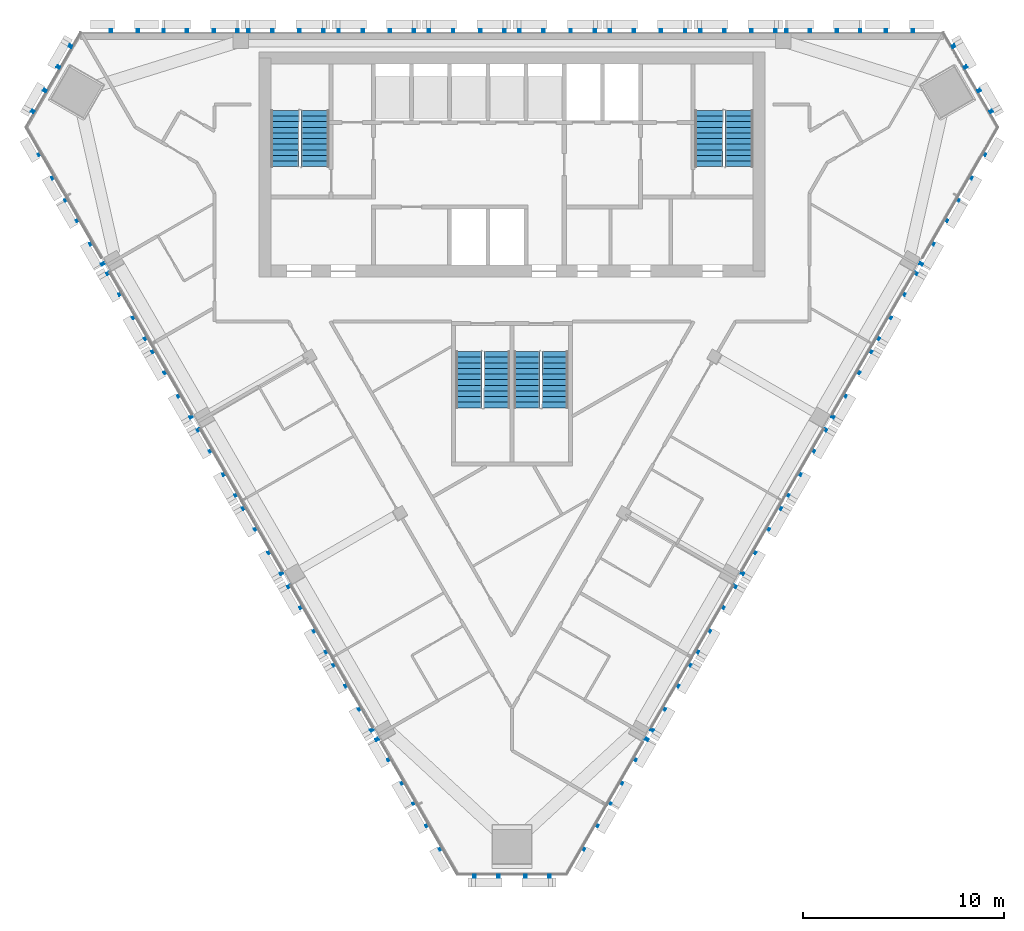
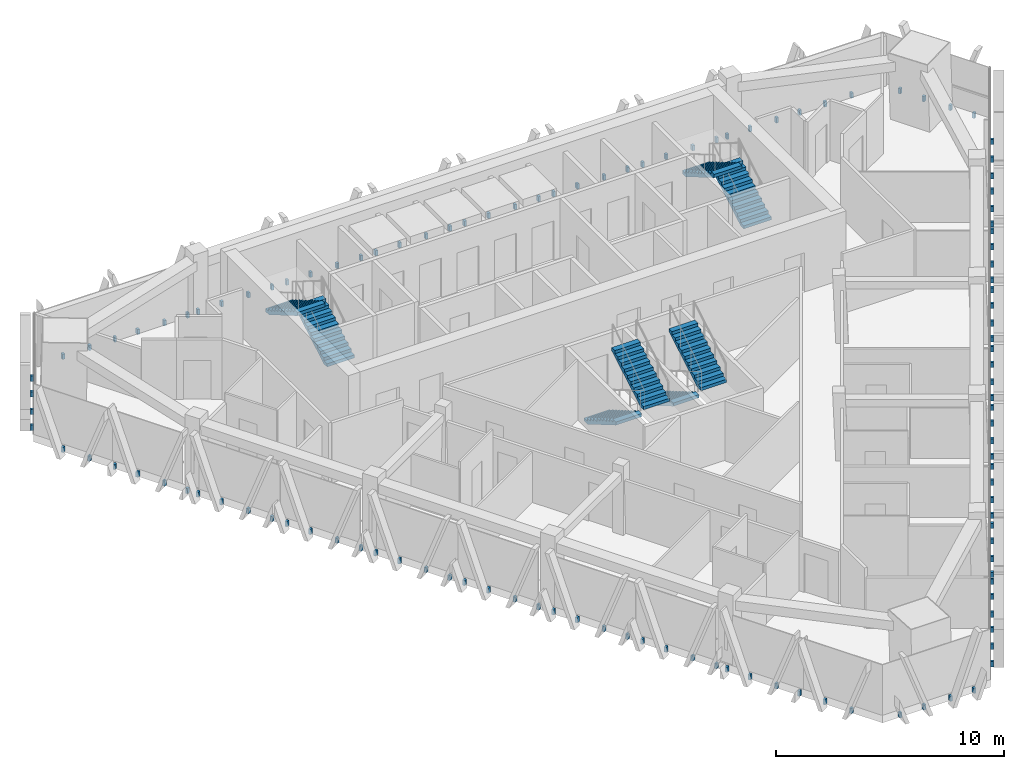
# One storey, part 11 of 14: 8 stair flights, 6 discrete accessories, 4 elements without a shape of their own.
"""IFC4 building model written with IfcOpenShell, lengths in metres."""

from ifc_helpers import new_model, si_unit, direction, frame, origin, place, context, subcontext, project, spatial, polyline, outline, extrude, source, transform, mapped, material, type_object, element, aggregate, save


model = new_model("IFC4")

# Units and contexts
model_context = context("Model", 3, precision=1e-05, world=origin(), true_north=direction((0.0, 1.0)))
body_context = subcontext(model_context, "Body", "Model", "MODEL_VIEW")
ifc_project = project(units=[si_unit("LENGTHUNIT", "METRE"), si_unit("AREAUNIT", "SQUARE_METRE"), si_unit("VOLUMEUNIT", "CUBIC_METRE"), si_unit("PLANEANGLEUNIT", "RADIAN"), si_unit("MASSUNIT", "GRAM", prefix="KILO")], contexts=[model_context])

# Site, building, storey
site_placement = place(None, origin())
site = spatial("IfcSite", under=ifc_project, at=site_placement, CompositionType="ELEMENT")
building_placement = place(site_placement, origin())
building = spatial("IfcBuilding", under=site, at=building_placement, Name="Altiplano Prism Tower", CompositionType="ELEMENT")
storey_placement = place(building_placement, frame((0.0, 0.0, 239.199951171875)))
storey = spatial("IfcBuildingStorey", under=building, at=storey_placement, Name="L61", CompositionType="ELEMENT", Elevation=239.199951171875)

# Stair, stair flights
ifc_material_1 = material(Name="Concrete C40/50", Category="concrete")
stair_type_1 = type_object("IfcStairType", Name="Exit stair 1400", PredefinedType="HALF_TURN_STAIR", material=ifc_material_1)
stair_1_placement = place(storey_placement, origin())
stair_1 = element("IfcStair", 1, at=stair_1_placement, inside=storey, type_object=stair_type_1, Name="L61 Exit Stair 1", PredefinedType="HALF_TURN_STAIR")
stair_flight_type = type_object("IfcStairFlightType", Name="Stair flight concrete 150", PredefinedType="STRAIGHT", material=ifc_material_1)
stair_flight_1_placement = place(storey_placement, frame((75.199951171875, 98.300048828125, 0.0), z_axis=(0.0, 0.0, 1.0), x_axis=(0.0, 1.0, 0.0)))
stair_flight_1 = element("IfcStairFlight", 2, at=stair_flight_1_placement, type_object=stair_flight_type, Name="ST1 flight 1", NumberOfRisers=11, NumberOfTreads=10, PredefinedType="STRAIGHT", RiserHeight=0.163636364, TreadLength=0.28, context=body_context, shape_type="SweptSolid", body=[
    extrude(outline(polyline([(0.0, 0.0), (0.0, 0.16357421875), (0.280029296875, 0.16357421875), (0.280029296875, 0.327392578125), (0.56005859375, 0.327392578125), (0.56005859375, 0.490966796875), (0.840087890625, 0.490966796875), (0.840087890625, 0.654541015625), (1.1201171875, 0.654541015625), (1.1201171875, 0.818115234375), (1.39990234375, 0.818115234375), (1.39990234375, 0.98193359375), (1.679931640625, 0.98193359375), (1.679931640625, 1.1455078125), (1.9599609375, 1.1455078125), (1.9599609375, 1.30908203125), (2.239990234375, 1.30908203125), (2.239990234375, 1.47265625), (2.52001953125, 1.47265625), (2.52001953125, 1.636474609375), (2.800048828125, 1.636474609375), (2.800048828125, 1.800048828125), (2.800048828125, 1.462646484375), (0.297119140625, 0.0), (0.0, 0.0)])), frame((0.0, 0.699951171875, 0.0), z_axis=(0.0, -1.0, 0.0), x_axis=(1.0, 0.0, 0.0)), (0.0, 0.0, 1.0), 1.39990234375),
])
stair_flight_2_placement = place(storey_placement, frame((73.699951171875, 101.10009765625, 1.800048828125), z_axis=(0.0, 0.0, 1.0), x_axis=(0.0, -1.0, 0.0)))
stair_flight_2 = element("IfcStairFlight", 3, at=stair_flight_2_placement, type_object=stair_flight_type, Name="ST1 flight 2", NumberOfRisers=11, NumberOfTreads=10, PredefinedType="STRAIGHT", RiserHeight=0.163636364, TreadLength=0.28, context=body_context, shape_type="SweptSolid", body=[
    extrude(outline(polyline([(0.0, 0.0), (0.0, 0.16357421875), (0.280029296875, 0.16357421875), (0.280029296875, 0.327392578125), (0.56005859375, 0.327392578125), (0.56005859375, 0.490966796875), (0.840087890625, 0.490966796875), (0.840087890625, 0.654541015625), (1.1201171875, 0.654541015625), (1.1201171875, 0.818115234375), (1.39990234375, 0.818115234375), (1.39990234375, 0.98193359375), (1.679931640625, 0.98193359375), (1.679931640625, 1.1455078125), (1.9599609375, 1.1455078125), (1.9599609375, 1.30908203125), (2.239990234375, 1.30908203125), (2.239990234375, 1.47265625), (2.52001953125, 1.47265625), (2.52001953125, 1.636474609375), (2.800048828125, 1.636474609375), (2.800048828125, 1.800048828125), (2.800048828125, 1.462646484375), (0.297119140625, 0.0), (0.0, 0.0)])), frame((0.0, 0.699951171875, 0.0), z_axis=(0.0, -1.0, 0.0), x_axis=(1.0, 0.0, 0.0)), (0.0, 0.0, 1.0), 1.39990234375),
])
aggregate(stair_1, [stair_flight_1, stair_flight_2])

stair_2_placement = place(storey_placement, origin())
stair_2 = element("IfcStair", 4, at=stair_2_placement, inside=storey, type_object=stair_type_1, Name="L61 Exit Stair 2", PredefinedType="HALF_TURN_STAIR")
stair_flight_3_placement = place(storey_placement, frame((96.300048828125, 98.300048828125, 0.0), z_axis=(0.0, 0.0, 1.0), x_axis=(0.0, 1.0, 0.0)))
stair_flight_3 = element("IfcStairFlight", 5, at=stair_flight_3_placement, type_object=stair_flight_type, Name="ST2 flight 1", NumberOfRisers=11, NumberOfTreads=10, PredefinedType="STRAIGHT", RiserHeight=0.163636364, TreadLength=0.28, context=body_context, shape_type="SweptSolid", body=[
    extrude(outline(polyline([(0.0, 0.0), (0.0, 0.16357421875), (0.280029296875, 0.16357421875), (0.280029296875, 0.327392578125), (0.56005859375, 0.327392578125), (0.56005859375, 0.490966796875), (0.840087890625, 0.490966796875), (0.840087890625, 0.654541015625), (1.1201171875, 0.654541015625), (1.1201171875, 0.818115234375), (1.39990234375, 0.818115234375), (1.39990234375, 0.98193359375), (1.679931640625, 0.98193359375), (1.679931640625, 1.1455078125), (1.9599609375, 1.1455078125), (1.9599609375, 1.30908203125), (2.239990234375, 1.30908203125), (2.239990234375, 1.47265625), (2.52001953125, 1.47265625), (2.52001953125, 1.636474609375), (2.800048828125, 1.636474609375), (2.800048828125, 1.800048828125), (2.800048828125, 1.462646484375), (0.297119140625, 0.0), (0.0, 0.0)])), frame((0.0, 0.699951171875, 0.0), z_axis=(0.0, -1.0, 0.0), x_axis=(1.0, 0.0, 0.0)), (0.0, 0.0, 1.0), 1.39990234375),
])
stair_flight_4_placement = place(storey_placement, frame((94.800048828125, 101.10009765625, 1.800048828125), z_axis=(0.0, 0.0, 1.0), x_axis=(0.0, -1.0, 0.0)))
stair_flight_4 = element("IfcStairFlight", 6, at=stair_flight_4_placement, type_object=stair_flight_type, Name="ST2 flight 2", NumberOfRisers=11, NumberOfTreads=10, PredefinedType="STRAIGHT", RiserHeight=0.163636364, TreadLength=0.28, context=body_context, shape_type="SweptSolid", body=[
    extrude(outline(polyline([(0.0, 0.0), (0.0, 0.16357421875), (0.280029296875, 0.16357421875), (0.280029296875, 0.327392578125), (0.56005859375, 0.327392578125), (0.56005859375, 0.490966796875), (0.840087890625, 0.490966796875), (0.840087890625, 0.654541015625), (1.1201171875, 0.654541015625), (1.1201171875, 0.818115234375), (1.39990234375, 0.818115234375), (1.39990234375, 0.98193359375), (1.679931640625, 0.98193359375), (1.679931640625, 1.1455078125), (1.9599609375, 1.1455078125), (1.9599609375, 1.30908203125), (2.239990234375, 1.30908203125), (2.239990234375, 1.47265625), (2.52001953125, 1.47265625), (2.52001953125, 1.636474609375), (2.800048828125, 1.636474609375), (2.800048828125, 1.800048828125), (2.800048828125, 1.462646484375), (0.297119140625, 0.0), (0.0, 0.0)])), frame((0.0, 0.699951171875, 0.0), z_axis=(0.0, -1.0, 0.0), x_axis=(1.0, 0.0, 0.0)), (0.0, 0.0, 1.0), 1.39990234375),
])
aggregate(stair_2, [stair_flight_3, stair_flight_4])

stair_type_2 = type_object("IfcStairType", Name="Exit stair 1300", PredefinedType="HALF_TURN_STAIR", material=ifc_material_1)
stair_3_placement = place(storey_placement, origin())
stair_3 = element("IfcStair", 7, at=stair_3_placement, inside=storey, type_object=stair_type_2, Name="L61 Exit Stair 3A", PredefinedType="HALF_TURN_STAIR")
stair_flight_5_placement = place(storey_placement, frame((82.85009765625, 89.10009765625, 0.0), z_axis=(0.0, 0.0, 1.0), x_axis=(0.0, -1.0, 0.0)))
stair_flight_5 = element("IfcStairFlight", 8, at=stair_flight_5_placement, type_object=stair_flight_type, Name="ST3A flight 1", NumberOfRisers=11, NumberOfTreads=10, PredefinedType="STRAIGHT", RiserHeight=0.163636364, TreadLength=0.28, context=body_context, shape_type="SweptSolid", body=[
    extrude(outline(polyline([(0.0, 0.0), (0.0, 0.16357421875), (0.280029296875, 0.16357421875), (0.280029296875, 0.327392578125), (0.56005859375, 0.327392578125), (0.56005859375, 0.490966796875), (0.840087890625, 0.490966796875), (0.840087890625, 0.654541015625), (1.1201171875, 0.654541015625), (1.1201171875, 0.818115234375), (1.39990234375, 0.818115234375), (1.39990234375, 0.98193359375), (1.679931640625, 0.98193359375), (1.679931640625, 1.1455078125), (1.9599609375, 1.1455078125), (1.9599609375, 1.30908203125), (2.239990234375, 1.30908203125), (2.239990234375, 1.47265625), (2.52001953125, 1.47265625), (2.52001953125, 1.636474609375), (2.800048828125, 1.636474609375), (2.800048828125, 1.800048828125), (2.800048828125, 1.462646484375), (0.297119140625, 0.0), (0.0, 0.0)])), frame((0.0, 0.64990234375, 0.0), z_axis=(0.0, -1.0, 0.0), x_axis=(1.0, 0.0, 0.0)), (0.0, 0.0, 1.0), 1.300048828125),
])
stair_flight_6_placement = place(storey_placement, frame((84.25, 86.300048828125, 1.800048828125), z_axis=(0.0, 0.0, 1.0), x_axis=(0.0, 1.0, 0.0)))
stair_flight_6 = element("IfcStairFlight", 9, at=stair_flight_6_placement, type_object=stair_flight_type, Name="ST3A flight 2", NumberOfRisers=11, NumberOfTreads=10, PredefinedType="STRAIGHT", RiserHeight=0.163636364, TreadLength=0.28, context=body_context, shape_type="SweptSolid", body=[
    extrude(outline(polyline([(0.0, 0.0), (0.0, 0.16357421875), (0.280029296875, 0.16357421875), (0.280029296875, 0.327392578125), (0.56005859375, 0.327392578125), (0.56005859375, 0.490966796875), (0.840087890625, 0.490966796875), (0.840087890625, 0.654541015625), (1.1201171875, 0.654541015625), (1.1201171875, 0.818115234375), (1.39990234375, 0.818115234375), (1.39990234375, 0.98193359375), (1.679931640625, 0.98193359375), (1.679931640625, 1.1455078125), (1.9599609375, 1.1455078125), (1.9599609375, 1.30908203125), (2.239990234375, 1.30908203125), (2.239990234375, 1.47265625), (2.52001953125, 1.47265625), (2.52001953125, 1.636474609375), (2.800048828125, 1.636474609375), (2.800048828125, 1.800048828125), (2.800048828125, 1.462646484375), (0.297119140625, 0.0), (0.0, 0.0)])), frame((0.0, 0.64990234375, 0.0), z_axis=(0.0, -1.0, 0.0), x_axis=(1.0, 0.0, 0.0)), (0.0, 0.0, 1.0), 1.300048828125),
])
aggregate(stair_3, [stair_flight_5, stair_flight_6])

stair_4_placement = place(storey_placement, origin())
stair_4 = element("IfcStair", 10, at=stair_4_placement, inside=storey, type_object=stair_type_2, Name="L61 Exit Stair 3B", PredefinedType="HALF_TURN_STAIR")
stair_flight_7_placement = place(storey_placement, frame((85.75, 89.10009765625, 0.0), z_axis=(0.0, 0.0, 1.0), x_axis=(0.0, -1.0, 0.0)))
stair_flight_7 = element("IfcStairFlight", 11, at=stair_flight_7_placement, type_object=stair_flight_type, Name="ST3B flight 1", NumberOfRisers=11, NumberOfTreads=10, PredefinedType="STRAIGHT", RiserHeight=0.163636364, TreadLength=0.28, context=body_context, shape_type="SweptSolid", body=[
    extrude(outline(polyline([(0.0, 0.0), (0.0, 0.16357421875), (0.280029296875, 0.16357421875), (0.280029296875, 0.327392578125), (0.56005859375, 0.327392578125), (0.56005859375, 0.490966796875), (0.840087890625, 0.490966796875), (0.840087890625, 0.654541015625), (1.1201171875, 0.654541015625), (1.1201171875, 0.818115234375), (1.39990234375, 0.818115234375), (1.39990234375, 0.98193359375), (1.679931640625, 0.98193359375), (1.679931640625, 1.1455078125), (1.9599609375, 1.1455078125), (1.9599609375, 1.30908203125), (2.239990234375, 1.30908203125), (2.239990234375, 1.47265625), (2.52001953125, 1.47265625), (2.52001953125, 1.636474609375), (2.800048828125, 1.636474609375), (2.800048828125, 1.800048828125), (2.800048828125, 1.462646484375), (0.297119140625, 0.0), (0.0, 0.0)])), frame((0.0, 0.64990234375, 0.0), z_axis=(0.0, -1.0, 0.0), x_axis=(1.0, 0.0, 0.0)), (0.0, 0.0, 1.0), 1.300048828125),
])
stair_flight_8_placement = place(storey_placement, frame((87.14990234375, 86.300048828125, 1.800048828125), z_axis=(0.0, 0.0, 1.0), x_axis=(0.0, 1.0, 0.0)))
stair_flight_8 = element("IfcStairFlight", 12, at=stair_flight_8_placement, type_object=stair_flight_type, Name="ST3B flight 2", NumberOfRisers=11, NumberOfTreads=10, PredefinedType="STRAIGHT", RiserHeight=0.163636364, TreadLength=0.28, context=body_context, shape_type="SweptSolid", body=[
    extrude(outline(polyline([(0.0, 0.0), (0.0, 0.16357421875), (0.280029296875, 0.16357421875), (0.280029296875, 0.327392578125), (0.56005859375, 0.327392578125), (0.56005859375, 0.490966796875), (0.840087890625, 0.490966796875), (0.840087890625, 0.654541015625), (1.1201171875, 0.654541015625), (1.1201171875, 0.818115234375), (1.39990234375, 0.818115234375), (1.39990234375, 0.98193359375), (1.679931640625, 0.98193359375), (1.679931640625, 1.1455078125), (1.9599609375, 1.1455078125), (1.9599609375, 1.30908203125), (2.239990234375, 1.30908203125), (2.239990234375, 1.47265625), (2.52001953125, 1.47265625), (2.52001953125, 1.636474609375), (2.800048828125, 1.636474609375), (2.800048828125, 1.800048828125), (2.800048828125, 1.462646484375), (0.297119140625, 0.0), (0.0, 0.0)])), frame((0.0, 0.64990234375, 0.0), z_axis=(0.0, -1.0, 0.0), x_axis=(1.0, 0.0, 0.0)), (0.0, 0.0, 1.0), 1.300048828125),
])
aggregate(stair_4, [stair_flight_7, stair_flight_8])

# Discrete accessories
ifc_material_2 = material(Name="Stainless steel", Category="steel")
discrete_accessory_type = type_object("IfcDiscreteAccessoryType", Name="Stone fin fixing prongs", PredefinedType="USERDEFINED", material=ifc_material_2)
shared_shape_1 = source(origin(), body_context, "Body", "SweptSolid", [
    extrude(outline(polyline([(-0.73291015625, 0.06005859375), (-0.61279296875, 0.06005859375), (-0.61279296875, 0.340087890625), (-0.73291015625, 0.340087890625), (-0.73291015625, 0.06005859375)])), frame((0.0, 0.0, 0.0), z_axis=(0.0, -1.0, 0.0), x_axis=(1.0, 0.0, 0.0)), (0.0, 0.0, 1.0), 0.14990234375),
    extrude(outline(polyline([(0.61279296875, 0.06005859375), (0.73291015625, 0.06005859375), (0.73291015625, 0.340087890625), (0.61279296875, 0.340087890625), (0.61279296875, 0.06005859375)])), frame((0.0, 0.0, 0.0), z_axis=(0.0, -1.0, 0.0), x_axis=(1.0, 0.0, 0.0)), (0.0, 0.0, 1.0), 0.14990234375),
])
shared_shape_2 = source(origin(), body_context, "Body", "SweptSolid", [
    extrude(outline(polyline([(-0.73291015625, 0.06005859375), (-0.61279296875, 0.06005859375), (-0.61279296875, 0.340087890625), (-0.73291015625, 0.340087890625), (-0.73291015625, 0.06005859375)])), frame((0.0, 0.0, 0.0), z_axis=(0.0, -1.0, 0.0), x_axis=(1.0, 0.0, 0.0)), (0.0, 0.0, 1.0), 0.14990234375),
    extrude(outline(polyline([(-1.889892578125, 0.06005859375), (-1.78271484375, 0.06005859375), (-1.78271484375, 0.340087890625), (-1.889892578125, 0.340087890625), (-1.889892578125, 0.06005859375)])), frame((0.0, 0.0, 0.0), z_axis=(0.0, -1.0, 0.0), x_axis=(1.0, 0.0, 0.0)), (0.0, 0.0, 1.0), 0.14990234375),
    extrude(outline(polyline([(0.61279296875, 0.06005859375), (0.73291015625, 0.06005859375), (0.73291015625, 0.340087890625), (0.61279296875, 0.340087890625), (0.61279296875, 0.06005859375)])), frame((0.0, 0.0, 0.0), z_axis=(0.0, -1.0, 0.0), x_axis=(1.0, 0.0, 0.0)), (0.0, 0.0, 1.0), 0.14990234375),
    extrude(outline(polyline([(1.78271484375, 0.06005859375), (1.889892578125, 0.06005859375), (1.889892578125, 0.340087890625), (1.78271484375, 0.340087890625), (1.78271484375, 0.06005859375)])), frame((0.0, 0.0, 0.0), z_axis=(0.0, -1.0, 0.0), x_axis=(1.0, 0.0, 0.0)), (0.0, 0.0, 1.0), 0.14990234375),
])
shared_shape_3 = source(origin(), body_context, "Body", "SweptSolid", [
    extrude(outline(polyline([(-1.932861328125, 0.06005859375), (-1.812744140625, 0.06005859375), (-1.812744140625, 0.340087890625), (-1.932861328125, 0.340087890625), (-1.932861328125, 0.06005859375)])), frame((0.0, 0.0, 0.0), z_axis=(0.0, -1.0, 0.0), x_axis=(1.0, 0.0, 0.0)), (0.0, 0.0, 1.0), 0.14990234375),
    extrude(outline(polyline([(-0.73291015625, 0.06005859375), (-0.61279296875, 0.06005859375), (-0.61279296875, 0.340087890625), (-0.73291015625, 0.340087890625), (-0.73291015625, 0.06005859375)])), frame((0.0, 0.0, 0.0), z_axis=(0.0, -1.0, 0.0), x_axis=(1.0, 0.0, 0.0)), (0.0, 0.0, 1.0), 0.14990234375),
    extrude(outline(polyline([(0.61279296875, 0.06005859375), (0.73291015625, 0.06005859375), (0.73291015625, 0.340087890625), (0.61279296875, 0.340087890625), (0.61279296875, 0.06005859375)])), frame((0.0, 0.0, 0.0), z_axis=(0.0, -1.0, 0.0), x_axis=(1.0, 0.0, 0.0)), (0.0, 0.0, 1.0), 0.14990234375),
    extrude(outline(polyline([(1.812744140625, 0.06005859375), (1.932861328125, 0.06005859375), (1.932861328125, 0.340087890625), (1.812744140625, 0.340087890625), (1.812744140625, 0.06005859375)])), frame((0.0, 0.0, 0.0), z_axis=(0.0, -1.0, 0.0), x_axis=(1.0, 0.0, 0.0)), (0.0, 0.0, 1.0), 0.14990234375),
])
discrete_accessory_1_placement = place(storey_placement, origin())
element("IfcDiscreteAccessory", 13, at=discrete_accessory_1_placement, inside=storey, type_object=discrete_accessory_type, Name="Fin fixings L61 north face", ObjectType="BRACKET", PredefinedType="USERDEFINED", context=body_context, shape_type="MappedRepresentation", body=[
    mapped(shared_shape_1, transform((104.28515625, 105.0, -0.39990234375), x_axis=(-1.0, 0.0, 0.0), y_axis=(0.0, -1.0, 0.0), z_axis=(0.0, 0.0, 1.0))),
    mapped(shared_shape_2, transform((100.4951171875, 105.0, -0.39990234375), x_axis=(-1.0, 0.0, 0.0), y_axis=(0.0, -1.0, 0.0), z_axis=(0.0, 0.0, 1.0))),
    mapped(shared_shape_3, transform((96.25, 105.0, -0.39990234375), x_axis=(-1.0, 0.0, 0.0), y_axis=(0.0, -1.0, 0.0), z_axis=(0.0, 0.0, 1.0))),
    mapped(shared_shape_3, transform((91.75, 105.0, -0.39990234375), x_axis=(-1.0, 0.0, 0.0), y_axis=(0.0, -1.0, 0.0), z_axis=(0.0, 0.0, 1.0))),
    mapped(shared_shape_3, transform((87.25, 105.0, -0.39990234375), x_axis=(-1.0, 0.0, 0.0), y_axis=(0.0, -1.0, 0.0), z_axis=(0.0, 0.0, 1.0))),
    mapped(shared_shape_3, transform((82.75, 105.0, -0.39990234375), x_axis=(-1.0, 0.0, 0.0), y_axis=(0.0, -1.0, 0.0), z_axis=(0.0, 0.0, 1.0))),
    mapped(shared_shape_3, transform((78.25, 105.0, -0.39990234375), x_axis=(-1.0, 0.0, 0.0), y_axis=(0.0, -1.0, 0.0), z_axis=(0.0, 0.0, 1.0))),
    mapped(shared_shape_3, transform((73.75, 105.0, -0.39990234375), x_axis=(-1.0, 0.0, 0.0), y_axis=(0.0, -1.0, 0.0), z_axis=(0.0, 0.0, 1.0))),
    mapped(shared_shape_2, transform((69.5048828125, 105.0, -0.39990234375), x_axis=(-1.0, 0.0, 0.0), y_axis=(0.0, -1.0, 0.0), z_axis=(0.0, 0.0, 1.0))),
    mapped(shared_shape_1, transform((65.71484375, 105.0, -0.39990234375), x_axis=(-1.0, 0.0, 0.0), y_axis=(0.0, -1.0, 0.0), z_axis=(0.0, 0.0, 1.0))),
])
discrete_accessory_2_placement = place(storey_placement, origin())
element("IfcDiscreteAccessory", 14, at=discrete_accessory_2_placement, inside=storey, type_object=discrete_accessory_type, Name="Fin fixings L61 north-west chamfer", ObjectType="BRACKET", PredefinedType="USERDEFINED", context=body_context, shape_type="MappedRepresentation", body=[
    mapped(shared_shape_3, transform((62.154052734375, 102.634521484375, -0.39990234375), x_axis=(-0.499999932769, -0.8660254426, 0.0), y_axis=(0.8660254426, -0.499999932769, 0.0), z_axis=(0.0, 0.0, 1.0))),
])
discrete_accessory_3_placement = place(storey_placement, origin())
element("IfcDiscreteAccessory", 15, at=discrete_accessory_3_placement, inside=storey, type_object=discrete_accessory_type, Name="Fin fixings L61 south-west face", ObjectType="BRACKET", PredefinedType="USERDEFINED", context=body_context, shape_type="MappedRepresentation", body=[
    mapped(shared_shape_1, transform((61.8857421875, 98.367919921875, -0.39990234375), x_axis=(0.50000000184, -0.866025402722, 0.0), y_axis=(0.866025402722, 0.50000000184, 0.0), z_axis=(0.0, 0.0, 1.0))),
    mapped(shared_shape_2, transform((63.781005859375, 95.085693359375, -0.39990234375), x_axis=(0.50000000184, -0.866025402722, 0.0), y_axis=(0.866025402722, 0.50000000184, 0.0), z_axis=(0.0, 0.0, 1.0))),
    mapped(shared_shape_3, transform((65.9033203125, 91.409423828125, -0.39990234375), x_axis=(0.50000000184, -0.866025402722, 0.0), y_axis=(0.866025402722, 0.50000000184, 0.0), z_axis=(0.0, 0.0, 1.0))),
    mapped(shared_shape_3, transform((68.1533203125, 87.51220703125, -0.39990234375), x_axis=(0.50000000184, -0.866025402722, 0.0), y_axis=(0.866025402722, 0.50000000184, 0.0), z_axis=(0.0, 0.0, 1.0))),
    mapped(shared_shape_3, transform((70.4033203125, 83.614990234375, -0.39990234375), x_axis=(0.50000000184, -0.866025402722, 0.0), y_axis=(0.866025402722, 0.50000000184, 0.0), z_axis=(0.0, 0.0, 1.0))),
    mapped(shared_shape_3, transform((72.6533203125, 79.718017578125, -0.39990234375), x_axis=(0.50000000184, -0.866025402722, 0.0), y_axis=(0.866025402722, 0.50000000184, 0.0), z_axis=(0.0, 0.0, 1.0))),
    mapped(shared_shape_3, transform((74.9033203125, 75.82080078125, -0.39990234375), x_axis=(0.50000000184, -0.866025402722, 0.0), y_axis=(0.866025402722, 0.50000000184, 0.0), z_axis=(0.0, 0.0, 1.0))),
    mapped(shared_shape_3, transform((77.1533203125, 71.923828125, -0.39990234375), x_axis=(0.50000000184, -0.866025402722, 0.0), y_axis=(0.866025402722, 0.50000000184, 0.0), z_axis=(0.0, 0.0, 1.0))),
    mapped(shared_shape_2, transform((79.27587890625, 68.247314453125, -0.39990234375), x_axis=(0.50000000184, -0.866025402722, 0.0), y_axis=(0.866025402722, 0.50000000184, 0.0), z_axis=(0.0, 0.0, 1.0))),
    mapped(shared_shape_1, transform((81.1708984375, 64.965087890625, -0.39990234375), x_axis=(0.50000000184, -0.866025402722, 0.0), y_axis=(0.866025402722, 0.50000000184, 0.0), z_axis=(0.0, 0.0, 1.0))),
])
discrete_accessory_4_placement = place(storey_placement, origin())
element("IfcDiscreteAccessory", 16, at=discrete_accessory_4_placement, inside=storey, type_object=discrete_accessory_type, Name="Fin fixings L61 south chamfer", ObjectType="BRACKET", PredefinedType="USERDEFINED", context=body_context, shape_type="MappedRepresentation", body=[
    mapped(shared_shape_3, transform((85.0, 63.064208984375, -0.39990234375), x_axis=(1.0, 0.0, 0.0), y_axis=(0.0, 1.0, 0.0), z_axis=(0.0, 0.0, 1.0))),
])
discrete_accessory_5_placement = place(storey_placement, origin())
element("IfcDiscreteAccessory", 17, at=discrete_accessory_5_placement, inside=storey, type_object=discrete_accessory_type, Name="Fin fixings L61 south-east face", ObjectType="BRACKET", PredefinedType="USERDEFINED", context=body_context, shape_type="MappedRepresentation", body=[
    mapped(shared_shape_1, transform((88.8291015625, 64.965087890625, -0.39990234375), x_axis=(0.50000000184, 0.866025402722, 0.0), y_axis=(-0.866025402722, 0.50000000184, 0.0), z_axis=(0.0, 0.0, 1.0))),
    mapped(shared_shape_2, transform((90.72412109375, 68.247314453125, -0.39990234375), x_axis=(0.50000000184, 0.866025402722, 0.0), y_axis=(-0.866025402722, 0.50000000184, 0.0), z_axis=(0.0, 0.0, 1.0))),
    mapped(shared_shape_3, transform((92.8466796875, 71.923828125, -0.39990234375), x_axis=(0.50000000184, 0.866025402722, 0.0), y_axis=(-0.866025402722, 0.50000000184, 0.0), z_axis=(0.0, 0.0, 1.0))),
    mapped(shared_shape_3, transform((95.0966796875, 75.82080078125, -0.39990234375), x_axis=(0.50000000184, 0.866025402722, 0.0), y_axis=(-0.866025402722, 0.50000000184, 0.0), z_axis=(0.0, 0.0, 1.0))),
    mapped(shared_shape_3, transform((97.3466796875, 79.718017578125, -0.39990234375), x_axis=(0.50000000184, 0.866025402722, 0.0), y_axis=(-0.866025402722, 0.50000000184, 0.0), z_axis=(0.0, 0.0, 1.0))),
    mapped(shared_shape_3, transform((99.5966796875, 83.614990234375, -0.39990234375), x_axis=(0.50000000184, 0.866025402722, 0.0), y_axis=(-0.866025402722, 0.50000000184, 0.0), z_axis=(0.0, 0.0, 1.0))),
    mapped(shared_shape_3, transform((101.8466796875, 87.51220703125, -0.39990234375), x_axis=(0.50000000184, 0.866025402722, 0.0), y_axis=(-0.866025402722, 0.50000000184, 0.0), z_axis=(0.0, 0.0, 1.0))),
    mapped(shared_shape_3, transform((104.0966796875, 91.409423828125, -0.39990234375), x_axis=(0.50000000184, 0.866025402722, 0.0), y_axis=(-0.866025402722, 0.50000000184, 0.0), z_axis=(0.0, 0.0, 1.0))),
    mapped(shared_shape_2, transform((106.218994140625, 95.085693359375, -0.39990234375), x_axis=(0.50000000184, 0.866025402722, 0.0), y_axis=(-0.866025402722, 0.50000000184, 0.0), z_axis=(0.0, 0.0, 1.0))),
    mapped(shared_shape_1, transform((108.1142578125, 98.367919921875, -0.39990234375), x_axis=(0.50000000184, 0.866025402722, 0.0), y_axis=(-0.866025402722, 0.50000000184, 0.0), z_axis=(0.0, 0.0, 1.0))),
])
discrete_accessory_6_placement = place(storey_placement, origin())
element("IfcDiscreteAccessory", 18, at=discrete_accessory_6_placement, inside=storey, type_object=discrete_accessory_type, Name="Fin fixings L61 north-east chamfer", ObjectType="BRACKET", PredefinedType="USERDEFINED", context=body_context, shape_type="MappedRepresentation", body=[
    mapped(shared_shape_3, transform((107.845947265625, 102.634521484375, -0.39990234375), x_axis=(-0.499999932769, 0.8660254426, 0.0), y_axis=(-0.8660254426, -0.499999932769, 0.0), z_axis=(0.0, 0.0, 1.0))),
])

save(model, "model.ifc")
